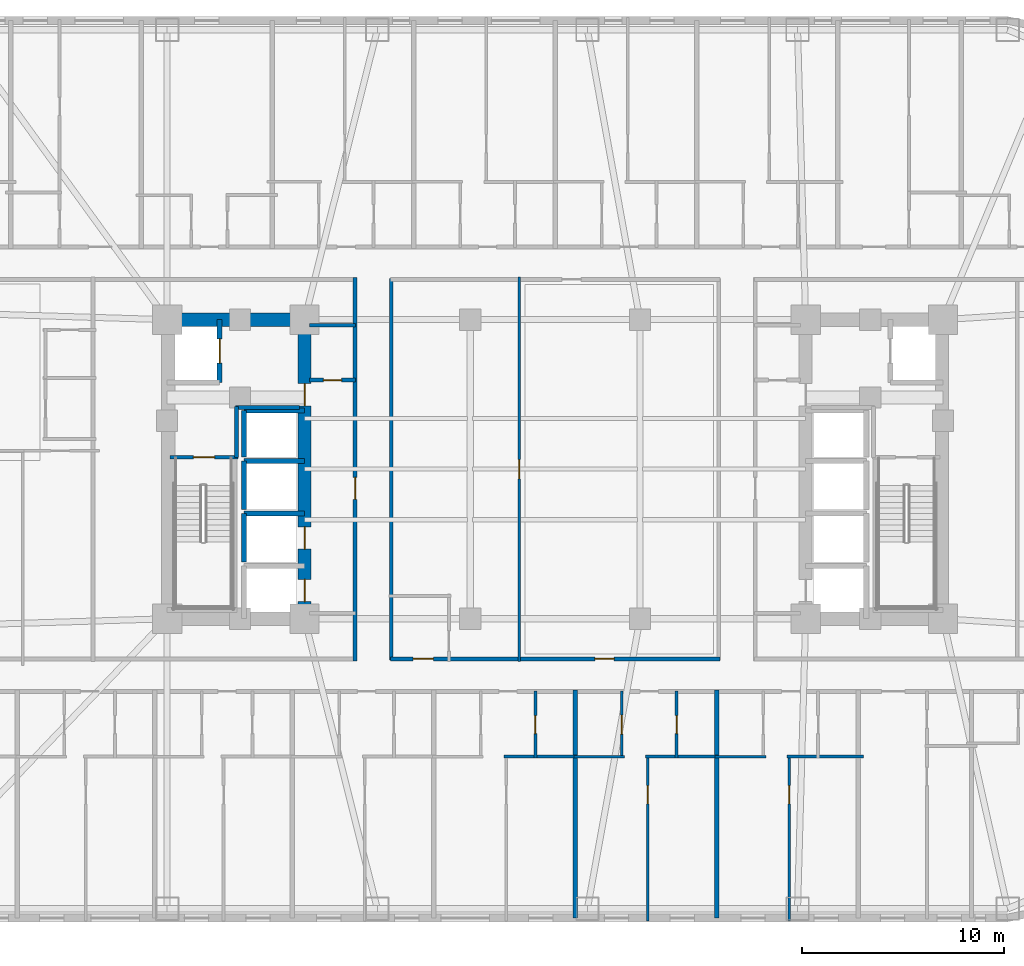
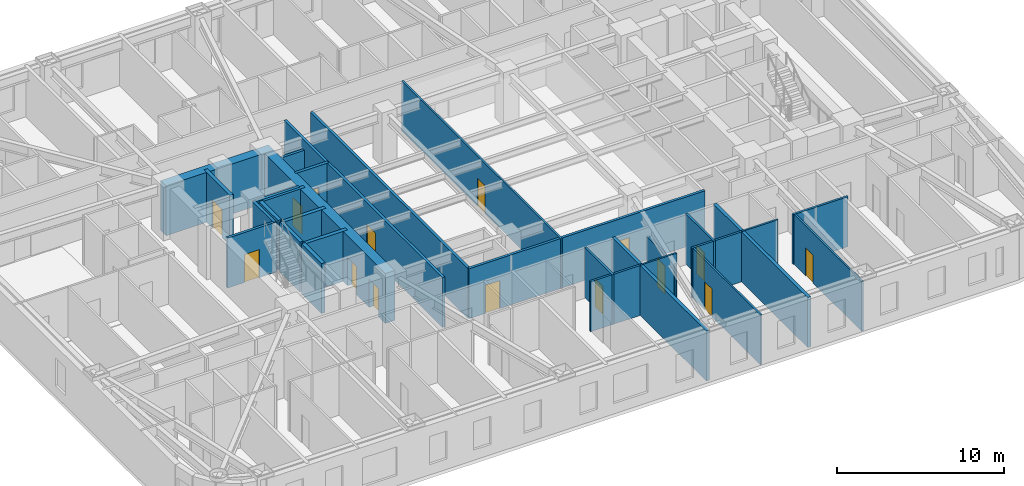
# One storey, part 5 of 12: 30 walls, 15 doors, 15 openings.
"""IFC4 building model written with IfcOpenShell, lengths in metres."""

from ifc_helpers import new_model, si_unit, direction, frame, frame_2d, origin, place, context, subcontext, project, spatial, rectangle, extrude, material, layer, layer_set, type_object, element, fill, save


model = new_model("IFC4")

# Units and contexts
model_context = context("Model", 3, precision=1e-05, world=origin(), true_north=direction((0.0, 1.0)))
body_context = subcontext(model_context, "Body", "Model", "MODEL_VIEW")
ifc_project = project(units=[si_unit("LENGTHUNIT", "METRE"), si_unit("AREAUNIT", "SQUARE_METRE"), si_unit("VOLUMEUNIT", "CUBIC_METRE"), si_unit("PLANEANGLEUNIT", "RADIAN"), si_unit("MASSUNIT", "GRAM", prefix="KILO")], contexts=[model_context])

# Site, building, storey
site_placement = place(None, origin())
site = spatial("IfcSite", under=ifc_project, at=site_placement, CompositionType="ELEMENT")
building_placement = place(site_placement, origin())
building = spatial("IfcBuilding", under=site, at=building_placement, Name="Voryun Gate Residences", CompositionType="ELEMENT")
storey_placement = place(building_placement, frame((0.0, 0.0, 65.0)))
storey = spatial("IfcBuildingStorey", under=building, at=storey_placement, Name="L15", CompositionType="ELEMENT", Elevation=65.0)

# Wall
ifc_material_1 = material(Name="Concrete C60/75", Category="concrete")
ifc_layer_1 = layer(ifc_material_1, 0.64990234375, Name="CW_CORE_650")
ifc_layer_set_1 = layer_set([ifc_layer_1], Name="Concrete C60/75")
wall_type_1 = type_object("IfcWallType", Name="CW_CORE_650", PredefinedType="SHEAR", material=ifc_layer_set_1)
wall_1_placement = place(storey_placement, frame((-19.52490234375, 7.39990234375, 0.0), z_axis=(0.0, 0.0, 1.0), x_axis=(1.0, 0.0, 0.0)))
element("IfcWall", 1, at=wall_1_placement, inside=storey, type_object=wall_type_1, Name="L15 Core shear wall CW-L15-WN", PredefinedType="SHEAR", context=body_context, shape_type="SweptSolid", body=[
    extrude(rectangle(XDim=7.449951171875, YDim=0.64990234375, at=frame_2d((3.72509765625, 0.0))), origin(), (0.0, 0.0, 1.0), 3.64990234375),
])

# Wall, openings, doors
wall_2_placement = place(storey_placement, frame((-12.39990234375, -7.39990234375, 0.0), z_axis=(0.0, 0.0, 1.0), x_axis=(0.0, 1.0, 0.0)))
wall_2 = element("IfcWall", 2, at=wall_2_placement, inside=storey, type_object=wall_type_1, Name="L15 Core shear wall CW-L15-WE", PredefinedType="SHEAR", context=body_context, shape_type="SweptSolid", body=[
    extrude(rectangle(XDim=14.7998046875, YDim=0.64990234375, at=frame_2d((7.39990234375, 0.0))), origin(), (0.0, 0.0, 1.0), 3.64990234375),
])
opening_1_placement = place(wall_2_placement, frame((0.85009765625, 0.0, 0.0)))
opening_1 = element("IfcOpeningElement", 3, at=opening_1_placement, cuts=wall_2, Name="Opening LD2", PredefinedType="OPENING", context=body_context, shape_type="SweptSolid", body=[
    extrude(rectangle(XDim=1.10009765625, YDim=2.050048828125, at=frame_2d((0.550048828125, 1.02490234375))), frame((0.0, 0.3349609375, 0.0), z_axis=(0.0, -1.0, 0.0), x_axis=(1.0, 0.0, 0.0)), (0.0, 0.0, 1.0), 0.669921875),
])
opening_2_placement = place(wall_2_placement, frame((3.449951171875, 0.0, 0.0)))
opening_2 = element("IfcOpeningElement", 4, at=opening_2_placement, cuts=wall_2, Name="Opening LD2", PredefinedType="OPENING", context=body_context, shape_type="SweptSolid", body=[
    extrude(rectangle(XDim=1.10009765625, YDim=2.050048828125, at=frame_2d((0.550048828125, 1.02490234375))), frame((0.0, 0.3349609375, 0.0), z_axis=(0.0, -1.0, 0.0), x_axis=(1.0, 0.0, 0.0)), (0.0, 0.0, 1.0), 0.669921875),
])
opening_3_placement = place(wall_2_placement, frame((10.530029296875, 0.0, 0.0)))
opening_3 = element("IfcOpeningElement", 5, at=opening_3_placement, cuts=wall_2, Name="Opening D-FD60-2", PredefinedType="OPENING", context=body_context, shape_type="SweptSolid", body=[
    extrude(rectangle(XDim=1.10009765625, YDim=2.050048828125, at=frame_2d((0.550048828125, 1.02490234375))), frame((0.0, 0.3349609375, 0.0), z_axis=(0.0, -1.0, 0.0), x_axis=(1.0, 0.0, 0.0)), (0.0, 0.0, 1.0), 0.669921875),
])
ifc_material_2 = material(Name="Painted steel fire door", Category="steel")
door_type_1 = type_object("IfcDoorType", Name="DR_FD60_FFLOB_1100", OperationType="NOTDEFINED", PredefinedType="DOOR", material=ifc_material_2)
door_1_placement = place(opening_3_placement, origin())
door_1 = element("IfcDoor", 6, at=door_1_placement, inside=storey, type_object=door_type_1, Name="Door DR-L15-CLOB-W", OperationType="SINGLE_SWING_LEFT", OverallHeight=2.050048828125, OverallWidth=1.10009765625, PredefinedType="DOOR", context=body_context, shape_type="SweptSolid", body=[
    extrude(rectangle(XDim=1.10009765625, YDim=2.050048828125, at=frame_2d((0.550048828125, 1.02490234375))), frame((0.0, 0.02490234375, 0.0), z_axis=(0.0, -1.0, 0.0), x_axis=(1.0, 0.0, 0.0)), (0.0, 0.0, 1.0), 0.050048828125),
])
fill(opening_3, door_1)
ifc_material_3 = material(Name="Anodised aluminium", Category="aluminium")
door_type_2 = type_object("IfcDoorType", Name="DR_LD_PASS_1100", OperationType="NOTDEFINED", PredefinedType="DOOR", material=ifc_material_3)
door_2_placement = place(opening_1_placement, origin())
door_2 = element("IfcDoor", 7, at=door_2_placement, inside=storey, type_object=door_type_2, Name="Lift EL-P1 sliding landing door L15", OperationType="SLIDING_TO_LEFT", OverallHeight=2.050048828125, OverallWidth=1.10009765625, PredefinedType="DOOR", context=body_context, shape_type="SweptSolid", body=[
    extrude(rectangle(XDim=1.10009765625, YDim=2.050048828125, at=frame_2d((0.550048828125, 1.02490234375))), frame((0.0, 0.02490234375, 0.0), z_axis=(0.0, -1.0, 0.0), x_axis=(1.0, 0.0, 0.0)), (0.0, 0.0, 1.0), 0.050048828125),
])
fill(opening_1, door_2)
door_3_placement = place(opening_2_placement, origin())
door_3 = element("IfcDoor", 8, at=door_3_placement, inside=storey, type_object=door_type_2, Name="Lift EL-P2 sliding landing door L15", OperationType="SLIDING_TO_LEFT", OverallHeight=2.050048828125, OverallWidth=1.10009765625, PredefinedType="DOOR", context=body_context, shape_type="SweptSolid", body=[
    extrude(rectangle(XDim=1.10009765625, YDim=2.050048828125, at=frame_2d((0.550048828125, 1.02490234375))), frame((0.0, 0.02490234375, 0.0), z_axis=(0.0, -1.0, 0.0), x_axis=(1.0, 0.0, 0.0)), (0.0, 0.0, 1.0), 0.050048828125),
])
fill(opening_2, door_3)

# Wall, opening, door
ifc_material_4 = material(Name="Gypsum acoustic fireboard")
ifc_layer_2 = layer(ifc_material_4, 0.179931640625, Name="W_CORR_RATED_180")
ifc_layer_set_2 = layer_set([ifc_layer_2], Name="Gypsum acoustic fireboard")
wall_type_2 = type_object("IfcWallType", Name="W_CORR_RATED_180", PredefinedType="PARTITIONING", material=ifc_layer_set_2)
wall_3_placement = place(storey_placement, frame((-19.06005859375, 0.60009765625, 0.0), z_axis=(0.0, 0.0, 1.0), x_axis=(1.0, 0.0, 0.0)))
wall_3 = element("IfcWall", 9, at=wall_3_placement, inside=storey, type_object=wall_type_2, Name="Partition wall WP-L15-STV-W", PredefinedType="PARTITIONING", context=body_context, shape_type="SweptSolid", body=[
    extrude(rectangle(XDim=3.360107421875, YDim=0.179931640625, at=frame_2d((1.68017578125, 0.0))), origin(), (0.0, 0.0, 1.0), 3.64990234375),
])
opening_4_placement = place(wall_3_placement, frame((1.155029296875, 0.0, 0.0)))
opening_4 = element("IfcOpeningElement", 10, at=opening_4_placement, cuts=wall_3, Name="Opening D-FD60-1", PredefinedType="OPENING", context=body_context, shape_type="SweptSolid", body=[
    extrude(rectangle(XDim=1.050048828125, YDim=2.050048828125, at=frame_2d((0.52490234375, 1.02490234375))), frame((0.0, 0.099853515625, 0.0), z_axis=(0.0, -1.0, 0.0), x_axis=(1.0, 0.0, 0.0)), (0.0, 0.0, 1.0), 0.199951171875),
])
ifc_material_5 = material(Name="Painted steel fire door", Category="steel")
door_type_3 = type_object("IfcDoorType", Name="DR_FD60_STAIR_1050", OperationType="NOTDEFINED", PredefinedType="DOOR", material=ifc_material_5)
door_4_placement = place(opening_4_placement, origin())
door_4 = element("IfcDoor", 11, at=door_4_placement, inside=storey, type_object=door_type_3, Name="Door DR-L15-ST-W", OperationType="SINGLE_SWING_LEFT", OverallHeight=2.050048828125, OverallWidth=1.050048828125, PredefinedType="DOOR", context=body_context, shape_type="SweptSolid", body=[
    extrude(rectangle(XDim=1.050048828125, YDim=2.050048828125, at=frame_2d((0.52490234375, 1.02490234375))), frame((0.0, 0.02490234375, 0.0), z_axis=(0.0, -1.0, 0.0), x_axis=(1.0, 0.0, 0.0)), (0.0, 0.0, 1.0), 0.050048828125),
])
fill(opening_4, door_4)

# Wall
wall_4_placement = place(storey_placement, frame((-12.14990234375, 7.1201171875, 0.0), z_axis=(0.0, 0.0, 1.0), x_axis=(1.0, 0.0, 0.0)))
element("IfcWall", 12, at=wall_4_placement, inside=storey, type_object=wall_type_2, Name="Partition wall WP-L15-PLBN-W", PredefinedType="PARTITIONING", context=body_context, shape_type="SweptSolid", body=[
    extrude(rectangle(XDim=2.27001953125, YDim=0.179931640625, at=frame_2d((1.135009765625, 0.0))), origin(), (0.0, 0.0, 1.0), 2.93994140625),
])

# Wall, opening, door
wall_5_placement = place(storey_placement, frame((-9.89990234375, -9.47998046875, 0.0), z_axis=(0.0, 0.0, 1.0), x_axis=(0.0, 1.0, 0.0)))
wall_5 = element("IfcWall", 13, at=wall_5_placement, inside=storey, type_object=wall_type_2, Name="Partition wall WP-L15-PLBW-FULL", PredefinedType="PARTITIONING", context=body_context, shape_type="SweptSolid", body=[
    extrude(rectangle(XDim=18.9599609375, YDim=0.179931640625, at=frame_2d((9.47998046875, 0.0))), origin(), (0.0, 0.0, 1.0), 3.64990234375),
])
opening_5_placement = place(wall_5_placement, frame((7.98193359375, 0.0, 0.0)))
opening_5 = element("IfcOpeningElement", 14, at=opening_5_placement, cuts=wall_5, Name="Opening D-FD60-2", PredefinedType="OPENING", context=body_context, shape_type="SweptSolid", body=[
    extrude(rectangle(XDim=1.10009765625, YDim=2.050048828125, at=frame_2d((0.550048828125, 1.02490234375))), frame((0.0, 0.099853515625, 0.0), z_axis=(0.0, -1.0, 0.0), x_axis=(1.0, 0.0, 0.0)), (0.0, 0.0, 1.0), 0.199951171875),
])
door_5_placement = place(opening_5_placement, origin())
door_5 = element("IfcDoor", 15, at=door_5_placement, inside=storey, type_object=door_type_1, Name="Door DR-L15-PLBW-COR", OperationType="SINGLE_SWING_LEFT", OverallHeight=2.050048828125, OverallWidth=1.10009765625, PredefinedType="DOOR", context=body_context, shape_type="SweptSolid", body=[
    extrude(rectangle(XDim=1.10009765625, YDim=2.050048828125, at=frame_2d((0.550048828125, 1.02490234375))), frame((0.0, 0.02490234375, 0.0), z_axis=(0.0, -1.0, 0.0), x_axis=(1.0, 0.0, 0.0)), (0.0, 0.0, 1.0), 0.050048828125),
])
fill(opening_5, door_5)

# Wall, openings, doors
wall_6_placement = place(storey_placement, frame((-8.14990234375, -9.389892578125, 0.0), z_axis=(0.0, 0.0, 1.0), x_axis=(1.0, 0.0, 0.0)))
wall_6 = element("IfcWall", 16, at=wall_6_placement, inside=storey, type_object=wall_type_2, Name="Partition wall WP-L15-Z1S", PredefinedType="PARTITIONING", context=body_context, shape_type="SweptSolid", body=[
    extrude(rectangle(XDim=16.2998046875, YDim=0.179931640625, at=frame_2d((8.14990234375, 0.0))), origin(), (0.0, 0.0, 1.0), 3.64990234375),
])
opening_6_placement = place(wall_6_placement, frame((1.1298828125, 0.0, 0.0)))
opening_6 = element("IfcOpeningElement", 17, at=opening_6_placement, cuts=wall_6, Name="Opening D-AWC-1", PredefinedType="OPENING", context=body_context, shape_type="SweptSolid", body=[
    extrude(rectangle(XDim=1.0, YDim=2.050048828125, at=frame_2d((0.5, 1.02490234375))), frame((0.0, 0.099853515625, 0.0), z_axis=(0.0, -1.0, 0.0), x_axis=(1.0, 0.0, 0.0)), (0.0, 0.0, 1.0), 0.199951171875),
])
opening_7_placement = place(wall_6_placement, frame((10.1201171875, 0.0, 0.0)))
opening_7 = element("IfcOpeningElement", 18, at=opening_7_placement, cuts=wall_6, Name="Opening D-INT-1", PredefinedType="OPENING", context=body_context, shape_type="SweptSolid", body=[
    extrude(rectangle(XDim=0.949951171875, YDim=2.050048828125, at=frame_2d((0.47509765625, 1.02490234375))), frame((0.0, 0.099853515625, 0.0), z_axis=(0.0, -1.0, 0.0), x_axis=(1.0, 0.0, 0.0)), (0.0, 0.0, 1.0), 0.199951171875),
])
ifc_material_6 = material(Name="Architectural oak veneer")
door_type_4 = type_object("IfcDoorType", Name="DR_ACC_WC_1000", OperationType="NOTDEFINED", PredefinedType="DOOR", material=ifc_material_6)
door_6_placement = place(opening_6_placement, origin())
door_6 = element("IfcDoor", 19, at=door_6_placement, inside=storey, type_object=door_type_4, Name="Door DR-L15-CMWC-D", OperationType="SINGLE_SWING_LEFT", OverallHeight=2.050048828125, OverallWidth=1.0, PredefinedType="DOOR", context=body_context, shape_type="SweptSolid", body=[
    extrude(rectangle(XDim=1.0, YDim=2.050048828125, at=frame_2d((0.5, 1.02490234375))), frame((0.0, 0.02490234375, 0.0), z_axis=(0.0, -1.0, 0.0), x_axis=(1.0, 0.0, 0.0)), (0.0, 0.0, 1.0), 0.050048828125),
])
fill(opening_6, door_6)
ifc_material_7 = material(Name="Architectural oak veneer")
door_type_5 = type_object("IfcDoorType", Name="DR_INT_ROOM_950", OperationType="NOTDEFINED", PredefinedType="DOOR", material=ifc_material_7)
door_7_placement = place(opening_7_placement, origin())
door_7 = element("IfcDoor", 20, at=door_7_placement, inside=storey, type_object=door_type_5, Name="Door DR-L15-CMIDZ1S", OperationType="SINGLE_SWING_RIGHT", OverallHeight=2.050048828125, OverallWidth=0.949951171875, PredefinedType="DOOR", context=body_context, shape_type="SweptSolid", body=[
    extrude(rectangle(XDim=0.949951171875, YDim=2.050048828125, at=frame_2d((0.47509765625, 1.02490234375))), frame((0.0, 0.02490234375, 0.0), z_axis=(0.0, -1.0, 0.0), x_axis=(1.0, 0.0, 0.0)), (0.0, 0.0, 1.0), 0.050048828125),
])
fill(opening_7, door_7)

# Walls
wall_7_placement = place(storey_placement, frame((-8.10009765625, -9.429931640625, 0.0), z_axis=(0.0, 0.0, 1.0), x_axis=(0.0, 1.0, 0.0)))
element("IfcWall", 21, at=wall_7_placement, inside=storey, type_object=wall_type_2, Name="Partition wall WP-L15-Z1W", PredefinedType="PARTITIONING", context=body_context, shape_type="SweptSolid", body=[
    extrude(rectangle(XDim=18.85986328125, YDim=0.179931640625, at=frame_2d((9.429931640625, 0.0))), origin(), (0.0, 0.0, 1.0), 3.64990234375),
])
ifc_material_8 = material(Name="Concrete C40/50", Category="concrete")
ifc_layer_3 = layer(ifc_material_8, 0.199951171875, Name="W_FF_LOBBY_200")
ifc_layer_set_3 = layer_set([ifc_layer_3], Name="Concrete C40/50")
wall_type_3 = type_object("IfcWallType", Name="W_FF_LOBBY_200", PredefinedType="PARTITIONING", material=ifc_layer_set_3)
wall_8_placement = place(storey_placement, frame((-15.760009765625, 0.580078125, 0.0), z_axis=(0.0, 0.0, 1.0), x_axis=(0.0, 1.0, 0.0)))
element("IfcWall", 22, at=wall_8_placement, inside=storey, type_object=wall_type_3, Name="Partition wall WP-L15-FFP0-W", PredefinedType="PARTITIONING", context=body_context, shape_type="SweptSolid", body=[
    extrude(rectangle(XDim=2.52001953125, YDim=0.199951171875, at=frame_2d((1.260009765625, 0.0))), origin(), (0.0, 0.0, 1.0), 3.64990234375),
])
wall_9_placement = place(storey_placement, frame((-15.820068359375, 3.06005859375, 0.0), z_axis=(0.0, 0.0, 1.0), x_axis=(1.0, 0.0, 0.0)))
element("IfcWall", 23, at=wall_9_placement, inside=storey, type_object=wall_type_3, Name="Partition wall WP-L15-FFPS-W", PredefinedType="PARTITIONING", context=body_context, shape_type="SweptSolid", body=[
    extrude(rectangle(XDim=3.16015625, YDim=0.199951171875, at=frame_2d((1.580078125, 0.0))), origin(), (0.0, 0.0, 1.0), 3.64990234375),
])

# Wall, opening, door
wall_10_placement = place(storey_placement, frame((-12.14990234375, 4.409912109375, 0.0), z_axis=(0.0, 0.0, 1.0), x_axis=(1.0, 0.0, 0.0)))
wall_10 = element("IfcWall", 24, at=wall_10_placement, inside=storey, type_object=wall_type_3, Name="Partition wall WP-L15-CSFLKS-W", PredefinedType="PARTITIONING", context=body_context, shape_type="SweptSolid", body=[
    extrude(rectangle(XDim=2.27001953125, YDim=0.199951171875, at=frame_2d((1.135009765625, 0.0))), origin(), (0.0, 0.0, 1.0), 3.64990234375),
])
opening_8_placement = place(wall_10_placement, frame((0.68505859375, 0.0, 0.0)))
opening_8 = element("IfcOpeningElement", 25, at=opening_8_placement, cuts=wall_10, Name="Opening D-FD60-4", PredefinedType="OPENING", context=body_context, shape_type="SweptSolid", body=[
    extrude(rectangle(XDim=0.89990234375, YDim=2.050048828125, at=frame_2d((0.449951171875, 1.02490234375))), frame((0.0, 0.110107421875, 0.0), z_axis=(0.0, -1.0, 0.0), x_axis=(1.0, 0.0, 0.0)), (0.0, 0.0, 1.0), 0.219970703125),
])
ifc_material_9 = material(Name="Painted steel fire door", Category="steel")
door_type_6 = type_object("IfcDoorType", Name="DR_FD60_RISER_900", OperationType="NOTDEFINED", PredefinedType="DOOR", material=ifc_material_9)
door_8_placement = place(opening_8_placement, origin())
door_8 = element("IfcDoor", 26, at=door_8_placement, inside=storey, type_object=door_type_6, Name="Door DR-L15-CSFLK-W", OperationType="SINGLE_SWING_LEFT", OverallHeight=2.050048828125, OverallWidth=0.89990234375, PredefinedType="DOOR", context=body_context, shape_type="SweptSolid", body=[
    extrude(rectangle(XDim=0.89990234375, YDim=2.050048828125, at=frame_2d((0.449951171875, 1.02490234375))), frame((0.0, 0.02490234375, 0.0), z_axis=(0.0, -1.0, 0.0), x_axis=(1.0, 0.0, 0.0)), (0.0, 0.0, 1.0), 0.050048828125),
])
fill(opening_8, door_8)

# Walls
ifc_material_10 = material(Name="Concrete C40/50", Category="concrete")
ifc_layer_4 = layer(ifc_material_10, 0.219970703125, Name="W_PARTY_ACOUSTIC_220")
ifc_layer_set_4 = layer_set([ifc_layer_4], Name="Concrete C40/50")
wall_type_4 = type_object("IfcWallType", Name="W_PARTY_ACOUSTIC_220", PredefinedType="PARTITIONING", material=ifc_layer_set_4)
for number, where, z_axis, x_axis, name in (
    (27, (1.0, -22.2099609375, 0.0), (0.0, 0.0, 1.0), (0.0, 1.0, 0.0), "Partition wall WP-L15-SPTY-5"),
    (28, (8.0, -22.2099609375, 0.0), (0.0, 0.0, 1.0), (0.0, 1.0, 0.0), "Partition wall WP-L15-SPTY-6"),
):
    element("IfcWall", number, at=place(storey_placement, frame(where, z_axis=z_axis, x_axis=x_axis)), inside=storey, type_object=wall_type_4, Name=name, PredefinedType="PARTITIONING", context=body_context, shape_type="SweptSolid", body=[
        extrude(rectangle(XDim=11.2900390625, YDim=0.219970703125, at=frame_2d((5.64501953125, 0.0))), origin(), (0.0, 0.0, 1.0), 3.64990234375),
    ])

# Wall, opening, door
ifc_material_11 = material(Name="Concrete C50/60", Category="concrete")
ifc_layer_5 = layer(ifc_material_11, 0.25, Name="W_SHAFT_RC250")
ifc_layer_set_5 = layer_set([ifc_layer_5], Name="Concrete C50/60")
wall_type_5 = type_object("IfcWallType", Name="W_SHAFT_RC250", PredefinedType="SOLIDWALL", material=ifc_layer_set_5)
wall_11_placement = place(storey_placement, frame((-16.60009765625, 4.300048828125, 0.0), z_axis=(0.0, 0.0, 1.0), x_axis=(0.0, 1.0, 0.0)))
wall_11 = element("IfcWall", 29, at=wall_11_placement, inside=storey, type_object=wall_type_5, Name="Lift shaft wall WSH-L15-EL-FF-W1-E", PredefinedType="SOLIDWALL", context=body_context, shape_type="SweptSolid", body=[
    extrude(rectangle(XDim=3.099853515625, YDim=0.25, at=frame_2d((1.5498046875, 0.0))), origin(), (0.0, 0.0, 1.0), 3.64990234375),
])
opening_9_placement = place(wall_11_placement, frame((0.949951171875, 0.0, 0.0)))
opening_9 = element("IfcOpeningElement", 30, at=opening_9_placement, cuts=wall_11, Name="Opening LD1", PredefinedType="OPENING", context=body_context, shape_type="SweptSolid", body=[
    extrude(rectangle(XDim=1.199951171875, YDim=2.050048828125, at=frame_2d((0.60009765625, 1.02490234375))), frame((0.0, 0.135009765625, 0.0), z_axis=(0.0, -1.0, 0.0), x_axis=(1.0, 0.0, 0.0)), (0.0, 0.0, 1.0), 0.27001953125),
])
ifc_material_12 = material(Name="Anodised aluminium", Category="aluminium")
door_type_7 = type_object("IfcDoorType", Name="DR_LD_FF_1200", OperationType="NOTDEFINED", PredefinedType="DOOR", material=ifc_material_12)
door_9_placement = place(opening_9_placement, origin())
door_9 = element("IfcDoor", 31, at=door_9_placement, inside=storey, type_object=door_type_7, Name="Lift EL-FF-W1 sliding landing door L15", OperationType="SLIDING_TO_LEFT", OverallHeight=2.050048828125, OverallWidth=1.199951171875, PredefinedType="DOOR", context=body_context, shape_type="SweptSolid", body=[
    extrude(rectangle(XDim=1.199951171875, YDim=2.050048828125, at=frame_2d((0.60009765625, 1.02490234375))), frame((0.0, 0.02490234375, 0.0), z_axis=(0.0, -1.0, 0.0), x_axis=(1.0, 0.0, 0.0)), (0.0, 0.0, 1.0), 0.050048828125),
])
fill(opening_9, door_9)

# Walls
wall_12_placement = place(storey_placement, frame((-12.39990234375, -2.199951171875, 0.0), z_axis=(0.0, 0.0, 1.0), x_axis=(-1.0, 0.0, 0.0)))
element("IfcWall", 32, at=wall_12_placement, inside=storey, type_object=wall_type_5, Name="Lift shaft wall WSH-L15-EL-P2-N", PredefinedType="SOLIDWALL", context=body_context, shape_type="SweptSolid", body=[
    extrude(rectangle(XDim=3.0, YDim=0.25, at=frame_2d((1.5, 0.0))), origin(), (0.0, 0.0, 1.0), 3.64990234375),
])
wall_13_placement = place(storey_placement, frame((-15.39990234375, -2.199951171875, 0.0), z_axis=(0.0, 0.0, 1.0), x_axis=(0.0, -1.0, 0.0)))
element("IfcWall", 33, at=wall_13_placement, inside=storey, type_object=wall_type_5, Name="Lift shaft wall WSH-L15-EL-P2-W", PredefinedType="SOLIDWALL", context=body_context, shape_type="SweptSolid", body=[
    extrude(rectangle(XDim=2.400146484375, YDim=0.25, at=frame_2d((1.2001953125, 0.0))), origin(), (0.0, 0.0, 1.0), 3.64990234375),
])
wall_14_placement = place(storey_placement, frame((-12.39990234375, 0.39990234375, 0.0), z_axis=(0.0, 0.0, 1.0), x_axis=(-1.0, 0.0, 0.0)))
element("IfcWall", 34, at=wall_14_placement, inside=storey, type_object=wall_type_5, Name="Lift shaft wall WSH-L15-EL-P4-N", PredefinedType="SOLIDWALL", context=body_context, shape_type="SweptSolid", body=[
    extrude(rectangle(XDim=3.0, YDim=0.25, at=frame_2d((1.5, 0.0))), origin(), (0.0, 0.0, 1.0), 3.64990234375),
])
wall_15_placement = place(storey_placement, frame((-15.39990234375, 0.39990234375, 0.0), z_axis=(0.0, 0.0, 1.0), x_axis=(0.0, -1.0, 0.0)))
element("IfcWall", 35, at=wall_15_placement, inside=storey, type_object=wall_type_5, Name="Lift shaft wall WSH-L15-EL-P4-W", PredefinedType="SOLIDWALL", context=body_context, shape_type="SweptSolid", body=[
    extrude(rectangle(XDim=2.39990234375, YDim=0.25, at=frame_2d((1.199951171875, 0.0))), origin(), (0.0, 0.0, 1.0), 3.64990234375),
])
wall_16_placement = place(storey_placement, frame((-12.39990234375, 2.89990234375, 0.0), z_axis=(0.0, 0.0, 1.0), x_axis=(-1.0, 0.0, 0.0)))
element("IfcWall", 36, at=wall_16_placement, inside=storey, type_object=wall_type_5, Name="Lift shaft wall WSH-L15-EL-P7-N", PredefinedType="SOLIDWALL", context=body_context, shape_type="SweptSolid", body=[
    extrude(rectangle(XDim=3.0, YDim=0.25, at=frame_2d((1.5, 0.0))), origin(), (0.0, 0.0, 1.0), 3.64990234375),
])
wall_17_placement = place(storey_placement, frame((-15.39990234375, 2.89990234375, 0.0), z_axis=(0.0, 0.0, 1.0), x_axis=(0.0, -1.0, 0.0)))
element("IfcWall", 37, at=wall_17_placement, inside=storey, type_object=wall_type_5, Name="Lift shaft wall WSH-L15-EL-P7-W", PredefinedType="SOLIDWALL", context=body_context, shape_type="SweptSolid", body=[
    extrude(rectangle(XDim=2.2998046875, YDim=0.25, at=frame_2d((1.14990234375, 0.0))), origin(), (0.0, 0.0, 1.0), 3.64990234375),
])

# Wall, opening, door
ifc_material_13 = material(Name="Gypsum acoustic partition")
ifc_layer_6 = layer(ifc_material_13, 0.125, Name="W_UNIT_PART_125")
ifc_layer_set_6 = layer_set([ifc_layer_6], Name="Gypsum acoustic partition")
wall_type_6 = type_object("IfcWallType", Name="W_UNIT_PART_125", PredefinedType="PARTITIONING", material=ifc_layer_set_6)
wall_18_placement = place(storey_placement, frame((-1.77294921875, -9.52001953125, 0.0), z_axis=(0.0, 0.0, 1.0), x_axis=(0.0, 1.0, 0.0)))
wall_18 = element("IfcWall", 38, at=wall_18_placement, inside=storey, type_object=wall_type_6, Name="Partition wall WP-L15-MIDX-0", PredefinedType="PARTITIONING", context=body_context, shape_type="SweptSolid", body=[
    extrude(rectangle(XDim=19.0400390625, YDim=0.125, at=frame_2d((9.52001953125, 0.0))), origin(), (0.0, 0.0, 1.0), 3.64990234375),
])
opening_10_placement = place(wall_18_placement, frame((9.044921875, 0.0, 0.0)))
opening_10 = element("IfcOpeningElement", 39, at=opening_10_placement, cuts=wall_18, Name="Opening D-INT-1", PredefinedType="OPENING", context=body_context, shape_type="SweptSolid", body=[
    extrude(rectangle(XDim=0.949951171875, YDim=2.050048828125, at=frame_2d((0.47509765625, 1.02490234375))), frame((0.0, 0.072509765625, 0.0), z_axis=(0.0, -1.0, 0.0), x_axis=(1.0, 0.0, 0.0)), (0.0, 0.0, 1.0), 0.14501953125),
])
door_10_placement = place(opening_10_placement, origin())
door_10 = element("IfcDoor", 40, at=door_10_placement, inside=storey, type_object=door_type_5, Name="Door DR-L15-MIDX-0", OperationType="SINGLE_SWING_LEFT", OverallHeight=2.050048828125, OverallWidth=0.949951171875, PredefinedType="DOOR", context=body_context, shape_type="SweptSolid", body=[
    extrude(rectangle(XDim=0.949951171875, YDim=2.050048828125, at=frame_2d((0.47509765625, 1.02490234375))), frame((0.0, 0.02490234375, 0.0), z_axis=(0.0, -1.0, 0.0), x_axis=(1.0, 0.0, 0.0)), (0.0, 0.0, 1.0), 0.050048828125),
])
fill(opening_10, door_10)

wall_19_placement = place(storey_placement, frame((4.590087890625, -22.360107421875, 0.0), z_axis=(0.0, 0.0, 1.0), x_axis=(0.0, 1.0, 0.0)))
wall_19 = element("IfcWall", 41, at=wall_19_placement, inside=storey, type_object=wall_type_6, Name="Partition wall WP-L15-S6-OVR", PredefinedType="PARTITIONING", context=body_context, shape_type="SweptSolid", body=[
    extrude(rectangle(XDim=8.22021484375, YDim=0.125, at=frame_2d((4.110107421875, 0.0))), origin(), (0.0, 0.0, 1.0), 3.64990234375),
])
opening_11_placement = place(wall_19_placement, frame((5.797119140625, 0.0, 0.0)))
opening_11 = element("IfcOpeningElement", 42, at=opening_11_placement, cuts=wall_19, Name="Opening D-INT-2", PredefinedType="OPENING", context=body_context, shape_type="SweptSolid", body=[
    extrude(rectangle(XDim=0.89990234375, YDim=2.050048828125, at=frame_2d((0.449951171875, 1.02490234375))), frame((0.0, 0.072509765625, 0.0), z_axis=(0.0, -1.0, 0.0), x_axis=(1.0, 0.0, 0.0)), (0.0, 0.0, 1.0), 0.14501953125),
])
ifc_material_14 = material(Name="Architectural oak veneer")
door_type_8 = type_object("IfcDoorType", Name="DR_INT_BATH_900", OperationType="NOTDEFINED", PredefinedType="DOOR", material=ifc_material_14)
door_11_placement = place(opening_11_placement, origin())
door_11 = element("IfcDoor", 43, at=door_11_placement, inside=storey, type_object=door_type_8, Name="Door DR-L15-S6-DMB", OperationType="SINGLE_SWING_RIGHT", OverallHeight=2.050048828125, OverallWidth=0.89990234375, PredefinedType="DOOR", context=body_context, shape_type="SweptSolid", body=[
    extrude(rectangle(XDim=0.89990234375, YDim=2.050048828125, at=frame_2d((0.449951171875, 1.02490234375))), frame((0.0, 0.02490234375, 0.0), z_axis=(0.0, -1.0, 0.0), x_axis=(1.0, 0.0, 0.0)), (0.0, 0.0, 1.0), 0.050048828125),
])
fill(opening_11, door_11)

wall_20_placement = place(storey_placement, frame((3.31005859375, -14.300048828125, 0.0), z_axis=(0.0, 0.0, 1.0), x_axis=(0.0, 1.0, 0.0)))
wall_20 = element("IfcWall", 44, at=wall_20_placement, inside=storey, type_object=wall_type_6, Name="Partition wall WP-L15-S6-IVK", PredefinedType="PARTITIONING", context=body_context, shape_type="SweptSolid", body=[
    extrude(rectangle(XDim=3.320068359375, YDim=0.125, at=frame_2d((1.66015625, 0.0))), origin(), (0.0, 0.0, 1.0), 2.93994140625),
])
opening_12_placement = place(wall_20_placement, frame((1.18505859375, 0.0, 0.0)))
opening_12 = element("IfcOpeningElement", 45, at=opening_12_placement, cuts=wall_20, Name="Opening D-INT-1", PredefinedType="OPENING", context=body_context, shape_type="SweptSolid", body=[
    extrude(rectangle(XDim=0.949951171875, YDim=2.050048828125, at=frame_2d((0.47509765625, 1.02490234375))), frame((0.0, 0.072509765625, 0.0), z_axis=(0.0, -1.0, 0.0), x_axis=(1.0, 0.0, 0.0)), (0.0, 0.0, 1.0), 0.14501953125),
])
door_12_placement = place(opening_12_placement, origin())
door_12 = element("IfcDoor", 46, at=door_12_placement, inside=storey, type_object=door_type_5, Name="Door DR-L15-S6-DK", OperationType="SINGLE_SWING_LEFT", OverallHeight=2.050048828125, OverallWidth=0.949951171875, PredefinedType="DOOR", context=body_context, shape_type="SweptSolid", body=[
    extrude(rectangle(XDim=0.949951171875, YDim=2.050048828125, at=frame_2d((0.47509765625, 1.02490234375))), frame((0.0, 0.02490234375, 0.0), z_axis=(0.0, -1.0, 0.0), x_axis=(1.0, 0.0, 0.0)), (0.0, 0.0, 1.0), 0.050048828125),
])
fill(opening_12, door_12)

# Wall
wall_21_placement = place(storey_placement, frame((0.925048828125, -14.219970703125, 0.0), z_axis=(0.0, 0.0, 1.0), x_axis=(1.0, 0.0, 0.0)))
element("IfcWall", 47, at=wall_21_placement, inside=storey, type_object=wall_type_6, Name="Partition wall WP-L15-S6-HZK", PredefinedType="PARTITIONING", context=body_context, shape_type="SweptSolid", body=[
    extrude(rectangle(XDim=2.5048828125, YDim=0.125, at=frame_2d((1.25244140625, 0.0))), origin(), (0.0, 0.0, 1.0), 3.64990234375),
])

# Wall, opening, door
wall_22_placement = place(storey_placement, frame((11.590087890625, -22.360107421875, 0.0), z_axis=(0.0, 0.0, 1.0), x_axis=(0.0, 1.0, 0.0)))
wall_22 = element("IfcWall", 48, at=wall_22_placement, inside=storey, type_object=wall_type_6, Name="Partition wall WP-L15-S7-OVR", PredefinedType="PARTITIONING", context=body_context, shape_type="SweptSolid", body=[
    extrude(rectangle(XDim=8.22021484375, YDim=0.125, at=frame_2d((4.110107421875, 0.0))), origin(), (0.0, 0.0, 1.0), 3.64990234375),
])
opening_13_placement = place(wall_22_placement, frame((5.797119140625, 0.0, 0.0)))
opening_13 = element("IfcOpeningElement", 49, at=opening_13_placement, cuts=wall_22, Name="Opening D-INT-2", PredefinedType="OPENING", context=body_context, shape_type="SweptSolid", body=[
    extrude(rectangle(XDim=0.89990234375, YDim=2.050048828125, at=frame_2d((0.449951171875, 1.02490234375))), frame((0.0, 0.072509765625, 0.0), z_axis=(0.0, -1.0, 0.0), x_axis=(1.0, 0.0, 0.0)), (0.0, 0.0, 1.0), 0.14501953125),
])
door_13_placement = place(opening_13_placement, origin())
door_13 = element("IfcDoor", 50, at=door_13_placement, inside=storey, type_object=door_type_8, Name="Door DR-L15-S7-DMB", OperationType="SINGLE_SWING_RIGHT", OverallHeight=2.050048828125, OverallWidth=0.89990234375, PredefinedType="DOOR", context=body_context, shape_type="SweptSolid", body=[
    extrude(rectangle(XDim=0.89990234375, YDim=2.050048828125, at=frame_2d((0.449951171875, 1.02490234375))), frame((0.0, 0.02490234375, 0.0), z_axis=(0.0, -1.0, 0.0), x_axis=(1.0, 0.0, 0.0)), (0.0, 0.0, 1.0), 0.050048828125),
])
fill(opening_13, door_13)

# Walls
wall_23_placement = place(storey_placement, frame((7.925048828125, -14.219970703125, 0.0), z_axis=(0.0, 0.0, 1.0), x_axis=(1.0, 0.0, 0.0)))
element("IfcWall", 51, at=wall_23_placement, inside=storey, type_object=wall_type_6, Name="Partition wall WP-L15-S7-HZK", PredefinedType="PARTITIONING", context=body_context, shape_type="SweptSolid", body=[
    extrude(rectangle(XDim=2.5048828125, YDim=0.125, at=frame_2d((1.25244140625, 0.0))), origin(), (0.0, 0.0, 1.0), 3.64990234375),
])
ifc_material_15 = material(Name="Gypsum moisture-resistant partition")
ifc_layer_7 = layer(ifc_material_15, 0.14990234375, Name="W_WET_PLUMB_150")
ifc_layer_set_7 = layer_set([ifc_layer_7], Name="Gypsum moisture-resistant partition")
wall_type_7 = type_object("IfcWallType", Name="W_WET_PLUMB_150", PredefinedType="PLUMBINGWALL", material=ifc_layer_set_7)
wall_24_placement = place(storey_placement, frame((-2.530029296875, -14.219970703125, 0.0), z_axis=(0.0, 0.0, 1.0), x_axis=(1.0, 0.0, 0.0)))
element("IfcWall", 52, at=wall_24_placement, inside=storey, type_object=wall_type_7, Name="Partition wall WP-L15-S5-HZB", PredefinedType="PLUMBINGWALL", context=body_context, shape_type="SweptSolid", body=[
    extrude(rectangle(XDim=3.60498046875, YDim=0.14990234375, at=frame_2d((1.802490234375, 0.0))), origin(), (0.0, 0.0, 1.0), 3.64990234375),
])

# Wall, opening, door
wall_25_placement = place(storey_placement, frame((-0.97998046875, -14.300048828125, 0.0), z_axis=(0.0, 0.0, 1.0), x_axis=(0.0, 1.0, 0.0)))
wall_25 = element("IfcWall", 53, at=wall_25_placement, inside=storey, type_object=wall_type_7, Name="Partition wall WP-L15-S5-IVB", PredefinedType="PLUMBINGWALL", context=body_context, shape_type="SweptSolid", body=[
    extrude(rectangle(XDim=3.320068359375, YDim=0.14990234375, at=frame_2d((1.66015625, 0.0))), origin(), (0.0, 0.0, 1.0), 3.64990234375),
])
opening_14_placement = place(wall_25_placement, frame((1.2099609375, 0.0, 0.0)))
opening_14 = element("IfcOpeningElement", 54, at=opening_14_placement, cuts=wall_25, Name="Opening D-INT-2", PredefinedType="OPENING", context=body_context, shape_type="SweptSolid", body=[
    extrude(rectangle(XDim=0.89990234375, YDim=2.050048828125, at=frame_2d((0.449951171875, 1.02490234375))), frame((0.0, 0.0849609375, 0.0), z_axis=(0.0, -1.0, 0.0), x_axis=(1.0, 0.0, 0.0)), (0.0, 0.0, 1.0), 0.169921875),
])
door_14_placement = place(opening_14_placement, origin())
door_14 = element("IfcDoor", 55, at=door_14_placement, inside=storey, type_object=door_type_8, Name="Door DR-L15-S5-DB", OperationType="SINGLE_SWING_RIGHT", OverallHeight=2.050048828125, OverallWidth=0.89990234375, PredefinedType="DOOR", context=body_context, shape_type="SweptSolid", body=[
    extrude(rectangle(XDim=0.89990234375, YDim=2.050048828125, at=frame_2d((0.449951171875, 1.02490234375))), frame((0.0, 0.02490234375, 0.0), z_axis=(0.0, -1.0, 0.0), x_axis=(1.0, 0.0, 0.0)), (0.0, 0.0, 1.0), 0.050048828125),
])
fill(opening_14, door_14)

# Wall
wall_26_placement = place(storey_placement, frame((4.469970703125, -14.219970703125, 0.0), z_axis=(0.0, 0.0, 1.0), x_axis=(1.0, 0.0, 0.0)))
element("IfcWall", 56, at=wall_26_placement, inside=storey, type_object=wall_type_7, Name="Partition wall WP-L15-S6-HZB", PredefinedType="PLUMBINGWALL", context=body_context, shape_type="SweptSolid", body=[
    extrude(rectangle(XDim=3.60498046875, YDim=0.14990234375, at=frame_2d((1.802490234375, 0.0))), origin(), (0.0, 0.0, 1.0), 3.64990234375),
])

# Wall, opening, door
wall_27_placement = place(storey_placement, frame((6.02001953125, -14.300048828125, 0.0), z_axis=(0.0, 0.0, 1.0), x_axis=(0.0, 1.0, 0.0)))
wall_27 = element("IfcWall", 57, at=wall_27_placement, inside=storey, type_object=wall_type_7, Name="Partition wall WP-L15-S6-IVB", PredefinedType="PLUMBINGWALL", context=body_context, shape_type="SweptSolid", body=[
    extrude(rectangle(XDim=3.320068359375, YDim=0.14990234375, at=frame_2d((1.66015625, 0.0))), origin(), (0.0, 0.0, 1.0), 3.64990234375),
])
opening_15_placement = place(wall_27_placement, frame((1.2099609375, 0.0, 0.0)))
opening_15 = element("IfcOpeningElement", 58, at=opening_15_placement, cuts=wall_27, Name="Opening D-INT-2", PredefinedType="OPENING", context=body_context, shape_type="SweptSolid", body=[
    extrude(rectangle(XDim=0.89990234375, YDim=2.050048828125, at=frame_2d((0.449951171875, 1.02490234375))), frame((0.0, 0.0849609375, 0.0), z_axis=(0.0, -1.0, 0.0), x_axis=(1.0, 0.0, 0.0)), (0.0, 0.0, 1.0), 0.169921875),
])
door_15_placement = place(opening_15_placement, origin())
door_15 = element("IfcDoor", 59, at=door_15_placement, inside=storey, type_object=door_type_8, Name="Door DR-L15-S6-DB", OperationType="SINGLE_SWING_RIGHT", OverallHeight=2.050048828125, OverallWidth=0.89990234375, PredefinedType="DOOR", context=body_context, shape_type="SweptSolid", body=[
    extrude(rectangle(XDim=0.89990234375, YDim=2.050048828125, at=frame_2d((0.449951171875, 1.02490234375))), frame((0.0, 0.02490234375, 0.0), z_axis=(0.0, -1.0, 0.0), x_axis=(1.0, 0.0, 0.0)), (0.0, 0.0, 1.0), 0.050048828125),
])
fill(opening_15, door_15)

# Wall
wall_28_placement = place(storey_placement, frame((11.469970703125, -14.219970703125, 0.0), z_axis=(0.0, 0.0, 1.0), x_axis=(1.0, 0.0, 0.0)))
element("IfcWall", 60, at=wall_28_placement, inside=storey, type_object=wall_type_7, Name="Partition wall WP-L15-S7-HZB", PredefinedType="PLUMBINGWALL", context=body_context, shape_type="SweptSolid", body=[
    extrude(rectangle(XDim=3.7900390625, YDim=0.14990234375, at=frame_2d((1.89501953125, 0.0))), origin(), (0.0, 0.0, 1.0), 3.64990234375),
])

save(model, "model.ifc")
